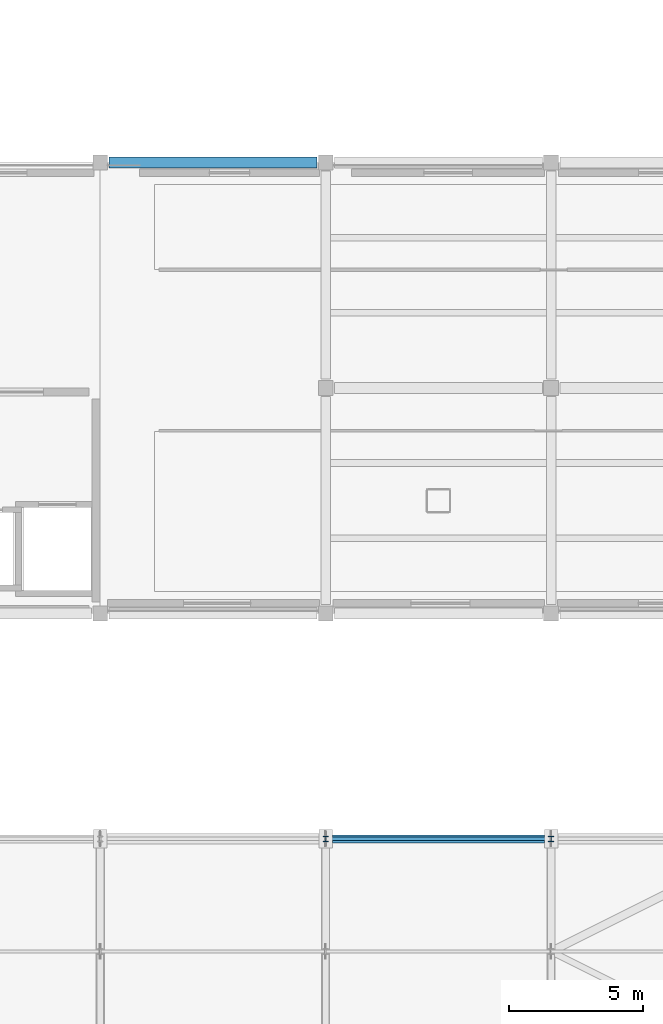
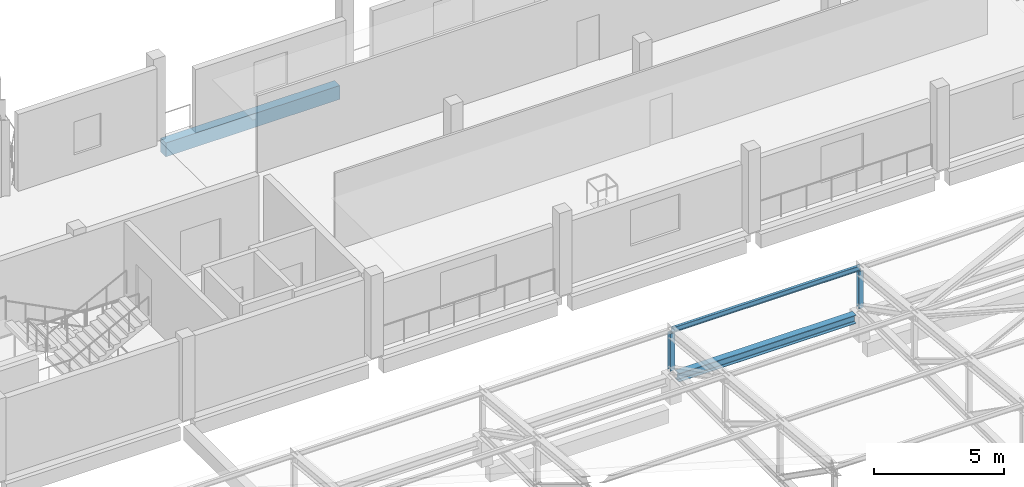
# One storey, part 32 of 74: 3 members, 2 beams.
"""IFC4 building model written with IfcOpenShell, lengths in metres."""

from ifc_helpers import new_model, si_unit, derived_unit, direction, frame, origin, origin_2d, place, context, subcontext, project, spatial, rectangle, i_section, extrude, material, material_profile, profile_set, type_object, element, save


model = new_model("IFC4")

# Units and contexts
model_context = context("Model", 3, precision=1e-05, world=origin(), true_north=direction((0.0, 1.0)))
body_context = subcontext(model_context, "Body", "Model", "MODEL_VIEW")
ifc_project = project(units=[si_unit("LENGTHUNIT", "METRE"), si_unit("AREAUNIT", "SQUARE_METRE"), si_unit("VOLUMEUNIT", "CUBIC_METRE"), si_unit("PLANEANGLEUNIT", "RADIAN"), si_unit("MASSUNIT", "GRAM", prefix="KILO"), derived_unit("THERMALTRANSMITTANCEUNIT", [(si_unit("POWERUNIT", "WATT"), 1), (si_unit("LENGTHUNIT", "METRE"), -2), (si_unit("THERMODYNAMICTEMPERATUREUNIT", "KELVIN"), -1)])], contexts=[model_context])

# Site, building, storey
site_placement = place(None, origin())
site = spatial("IfcSite", under=ifc_project, at=site_placement, CompositionType="ELEMENT")
building_placement = place(site_placement, origin())
building = spatial("IfcBuilding", under=site, at=building_placement, Name="Elbkamm Science Centre", CompositionType="ELEMENT")
storey_placement = place(building_placement, frame((0.0, 0.0, 14.39990234375)))
storey = spatial("IfcBuildingStorey", under=building, at=storey_placement, Name="L03", CompositionType="ELEMENT", Elevation=14.39990234375)

# Beams
ifc_material_1 = material(Name="Concrete C40/50", Category="concrete")
ifc_material_profile_1 = material_profile(ifc_material_1, rectangle(XDim=0.39990234375, YDim=0.64990234375, at=origin_2d()), Name="RC 400x650")
ifc_profile_set_1 = profile_set([ifc_material_profile_1], Name="Concrete C40/50")
beam_type_1 = type_object("IfcBeamType", Name="BM-RC-400x650", PredefinedType="BEAM", material=ifc_profile_set_1)
beam_1_placement = place(storey_placement, frame((92.72509765625, 58.800048828125, -0.60498046875), z_axis=(1.0, 0.0, 0.0), x_axis=(0.0, 1.0, 0.0)))
element("IfcBeam", 1, at=beam_1_placement, inside=storey, type_object=beam_type_1, Name="L03 Primary X-Girder 025", PredefinedType="BEAM", context=body_context, shape_type="SweptSolid", body=[
    extrude(rectangle(XDim=0.39990234375, YDim=0.64990234375, at=origin_2d()), origin(), (0.0, 0.0, 1.0), 7.75),
])
ifc_material_2 = material(Name="Steel EN 10025-2 S355J2", Category="steel")
ifc_material_profile_2 = material_profile(ifc_material_2, i_section(OverallWidth=0.300048828125, OverallDepth=0.39990234375, WebThickness=0.013427734375, FlangeThickness=0.02392578125, FilletRadius=0.027099609375, at=origin_2d()), Name="HEB 400")
ifc_profile_set_2 = profile_set([ifc_material_profile_2], Name="Steel EN 10025-2 S355J2")
beam_type_2 = type_object("IfcBeamType", Name="BM-STL-HEB400", PredefinedType="BEAM", material=ifc_profile_set_2)
beam_2_placement = place(storey_placement, frame((101.050048828125, 33.60009765625, 1.0), z_axis=(1.0, 0.0, 0.0), x_axis=(0.0, 1.0, 0.0)))
element("IfcBeam", 2, at=beam_2_placement, inside=storey, type_object=beam_type_2, Name="Theatre Eave Tie Girder N05", PredefinedType="SPANDREL", context=body_context, shape_type="SweptSolid", body=[
    extrude(i_section(OverallWidth=0.300048828125, OverallDepth=0.39990234375, WebThickness=0.013427734375, FlangeThickness=0.02392578125, FilletRadius=0.027099609375, at=origin_2d()), origin(), (0.0, 0.0, 1.0), 7.89990234375),
])

# Members
ifc_material_profile_3 = material_profile(ifc_material_2, i_section(OverallWidth=0.1201171875, OverallDepth=0.239990234375, WebThickness=0.006103515625, FlangeThickness=0.009765625, FilletRadius=0.014892578125, at=origin_2d()), Name="IPE 240")
ifc_profile_set_3 = profile_set([ifc_material_profile_3], Name="Steel EN 10025-2 S355J2")
member_type_1 = type_object("IfcMemberType", Name="MEM-PURLIN-IPE240", PredefinedType="PURLIN", material=ifc_profile_set_3)
member_placement = place(storey_placement, frame((100.800048828125, 33.60009765625, 3.257080078125), z_axis=(1.0, 0.0, 0.0), x_axis=(0.0, 1.0, 0.0)))
element("IfcMember", 3, at=member_placement, inside=storey, type_object=member_type_1, Name="Theatre Roof Purlin Bay 5-9", PredefinedType="PURLIN", context=body_context, shape_type="SweptSolid", body=[
    extrude(i_section(OverallWidth=0.1201171875, OverallDepth=0.239990234375, WebThickness=0.006103515625, FlangeThickness=0.009765625, FilletRadius=0.014892578125, at=origin_2d()), origin(), (0.0, 0.0, 1.0), 8.39990234375),
])
ifc_material_profile_4 = material_profile(ifc_material_2, i_section(OverallWidth=0.199951171875, OverallDepth=0.199951171875, WebThickness=0.009033203125, FlangeThickness=0.014892578125, FilletRadius=0.01806640625, at=origin_2d()), Name="HEB 200")
ifc_profile_set_4 = profile_set([ifc_material_profile_4], Name="Steel EN 10025-2 S355J2")
member_type_2 = type_object("IfcMemberType", Name="MEM-STRUT-HEB200", PredefinedType="STRUT", material=ifc_profile_set_4)
for number, where, z_axis, x_axis, name in (
    (4, (100.800048828125, 33.60009765625, 1.400146484375), (0.0, 0.0, 1.0), (1.0, 0.0, 0.0), "Theatre Steel Truss 05 Vertical Strut 9"),
    (5, (109.199951171875, 33.60009765625, 1.400146484375), (0.0, 0.0, 1.0), (1.0, 0.0, 0.0), "Theatre Steel Truss 06 Vertical Strut 9"),
):
    element("IfcMember", number, at=place(storey_placement, frame(where, z_axis=z_axis, x_axis=x_axis)), inside=storey, type_object=member_type_2, Name=name, PredefinedType="STRUT", context=body_context, shape_type="SweptSolid", body=[
        extrude(i_section(OverallWidth=0.199951171875, OverallDepth=0.199951171875, WebThickness=0.009033203125, FlangeThickness=0.014892578125, FilletRadius=0.01806640625, at=origin_2d()), origin(), (0.0, 0.0, 1.0), 1.7568359375),
    ])

save(model, "model.ifc")
